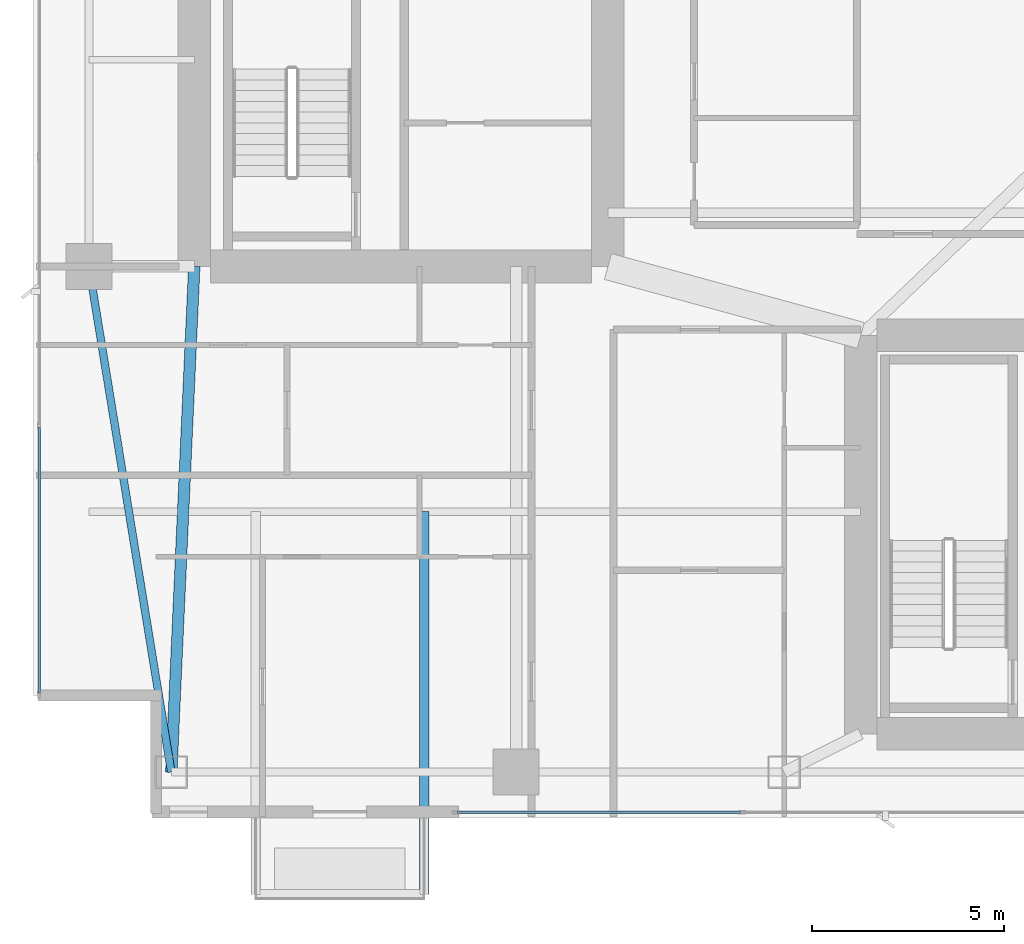
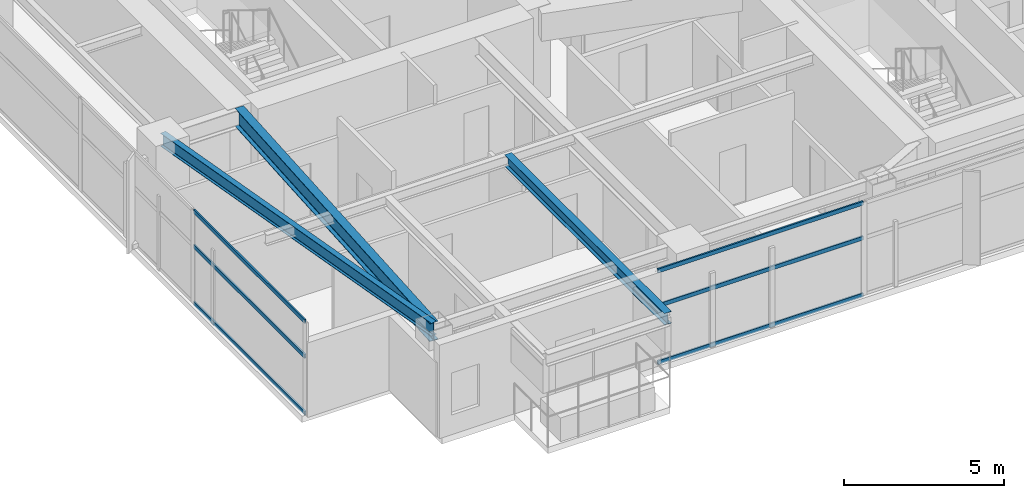
# One storey, part 3 of 29: 6 members, 3 beams, 2 elements without a shape of their own.
"""IFC4 building model written with IfcOpenShell, lengths in metres."""

from ifc_helpers import new_model, si_unit, direction, frame, origin, origin_2d, place, context, subcontext, project, spatial, hollow_rectangle, i_section, extrude, material, layer, layer_set, material_profile, profile_set, type_object, element, aggregate, save


model = new_model("IFC4")

# Units and contexts
model_context = context("Model", 3, precision=1e-05, world=origin(), true_north=direction((0.0, 1.0)))
body_context = subcontext(model_context, "Body", "Model", "MODEL_VIEW")
ifc_project = project(units=[si_unit("LENGTHUNIT", "METRE"), si_unit("AREAUNIT", "SQUARE_METRE"), si_unit("VOLUMEUNIT", "CUBIC_METRE"), si_unit("PLANEANGLEUNIT", "RADIAN"), si_unit("MASSUNIT", "GRAM", prefix="KILO")], contexts=[model_context])

# Site, building, storey
site_placement = place(None, origin())
site = spatial("IfcSite", under=ifc_project, at=site_placement, CompositionType="ELEMENT")
building_placement = place(site_placement, origin())
building = spatial("IfcBuilding", under=site, at=building_placement, Name="Calvorn Quay Hotel", CompositionType="ELEMENT")
storey_placement = place(building_placement, frame((0.0, 0.0, 105.0)))
storey = spatial("IfcBuildingStorey", under=building, at=storey_placement, Name="L25", CompositionType="ELEMENT", Elevation=105.0)

# Beams
ifc_material_1 = material(Name="Steel Q355B", Category="steel")
ifc_material_profile_1 = material_profile(ifc_material_1, i_section(OverallWidth=0.25, OverallDepth=0.449951171875, WebThickness=0.011962890625, FlangeThickness=0.01611328125, FilletRadius=0.01611328125, at=origin_2d()), Name="HN450x250x12x16")
ifc_profile_set_1 = profile_set([ifc_material_profile_1], Name="Steel Q355B")
beam_type_1 = type_object("IfcBeamType", Name="BM-CANT-BALC", PredefinedType="BEAM", material=ifc_profile_set_1)
beam_1_placement = place(storey_placement, frame((10.199951171875, 10.39990234375, 3.31494140625), z_axis=(0.0, -1.0, 0.0), x_axis=(1.0, 0.0, 0.0)))
element("IfcBeam", 1, at=beam_1_placement, inside=storey, type_object=beam_type_1, Name="Cantilever Balcony Beam BCB-L26-2B", PredefinedType="BEAM", context=body_context, shape_type="SweptSolid", body=[
    extrude(i_section(OverallWidth=0.25, OverallDepth=0.449951171875, WebThickness=0.011962890625, FlangeThickness=0.01611328125, FilletRadius=0.01611328125, at=origin_2d()), origin(), (0.0, 0.0, 1.0), 9.989990234375),
])
ifc_material_2 = material(Name="Steel Q390GJC", Category="steel")
ifc_material_profile_2 = material_profile(ifc_material_2, i_section(OverallWidth=0.300048828125, OverallDepth=0.699951171875, WebThickness=0.012939453125, FlangeThickness=0.02392578125, FilletRadius=0.02392578125, at=origin_2d()), Name="HN700x300x13x24")
ifc_profile_set_2 = profile_set([ifc_material_profile_2], Name="Steel Q390GJC")
beam_type_2 = type_object("IfcBeamType", Name="BM-GIRD-MAIN", PredefinedType="BEAM", material=ifc_profile_set_2)
beam_2_placement = place(storey_placement, frame((3.60009765625, 3.60009765625, 3.18994140625), z_axis=(0.045396765494, 0.998969035397, 0.0), x_axis=(-0.998969035397, 0.045396765494, 0.0)))
element("IfcBeam", 2, at=beam_2_placement, inside=storey, type_object=beam_type_2, Name="Beam BG-L25-W0", PredefinedType="BEAM", context=body_context, shape_type="SweptSolid", body=[
    extrude(i_section(OverallWidth=0.300048828125, OverallDepth=0.699951171875, WebThickness=0.012939453125, FlangeThickness=0.02392578125, FilletRadius=0.02392578125, at=origin_2d()), origin(), (0.0, 0.0, 1.0), 13.213623046875),
])
ifc_material_3 = material(Name="Steel Q355B", Category="steel")
ifc_material_profile_3 = material_profile(ifc_material_3, i_section(OverallWidth=0.199951171875, OverallDepth=0.5, WebThickness=0.010009765625, FlangeThickness=0.01611328125, FilletRadius=0.01611328125, at=origin_2d()), Name="HN500x200x10x16")
ifc_profile_set_3 = profile_set([ifc_material_profile_3], Name="Steel Q355B")
beam_type_3 = type_object("IfcBeamType", Name="BM-SPANDREL-Z1", PredefinedType="SPANDREL", material=ifc_profile_set_3)
beam_3_placement = place(storey_placement, frame((3.60009765625, 3.60009765625, 3.2900390625), z_axis=(-0.16077155054, 0.986991645627, 0.0), x_axis=(-0.986991645627, -0.16077155054, 0.0)))
element("IfcBeam", 3, at=beam_3_placement, inside=storey, type_object=beam_type_3, Name="Beam BSP-L25-W1", PredefinedType="SPANDREL", context=body_context, shape_type="SweptSolid", body=[
    extrude(i_section(OverallWidth=0.199951171875, OverallDepth=0.5, WebThickness=0.010009765625, FlangeThickness=0.01611328125, FilletRadius=0.01611328125, at=origin_2d()), origin(), (0.0, 0.0, 1.0), 13.3740234375),
])

# Curtain wall, members
ifc_material_4 = material(Name="Pale Anodised Aluminium and Low-E Glass", Category="aluminium")
ifc_layer = layer(ifc_material_4, 0.219970703125)
ifc_layer_set = layer_set([ifc_layer], Name="CW-SYS-Z2")
curtain_wall_type = type_object("IfcCurtainWallType", Name="CW-SYS-Z2", PredefinedType="NOTDEFINED", material=ifc_layer_set)
curtain_wall_1_placement = place(storey_placement, origin())
curtain_wall_1 = element("IfcCurtainWall", 4, at=curtain_wall_1_placement, inside=storey, type_object=curtain_wall_type, Name="Tower West Curtain Wall (L25)", PredefinedType="NOTDEFINED")
ifc_material_5 = material(Name="Pale Anodised Aluminium 6063-T6", Category="aluminium")
ifc_material_profile_4 = material_profile(ifc_material_5, hollow_rectangle(XDim=0.06005859375, YDim=0.14990234375, WallThickness=0.00341796875, at=origin_2d()), Name="ALU-T150x60x3.5")
ifc_profile_set_4 = profile_set([ifc_material_profile_4], Name="Pale Anodised Aluminium 6063-T6")
member_type = type_object("IfcMemberType", Name="CW-SYS-Z2-TRN", PredefinedType="USERDEFINED", material=ifc_profile_set_4)
member_1_placement = place(storey_placement, frame((0.14990234375, 5.659912109375, 0.030029296875), z_axis=(0.0, 1.0, 0.0), x_axis=(-1.0, 0.0, 0.0)))
member_1 = element("IfcMember", 5, at=member_1_placement, type_object=member_type, Name="CW-L25-W transom 1.1", ObjectType="TRANSOM", PredefinedType="USERDEFINED", context=body_context, shape_type="SweptSolid", body=[
    extrude(hollow_rectangle(XDim=0.06005859375, YDim=0.14990234375, WallThickness=0.00341796875, at=origin_2d()), origin(), (0.0, 0.0, 1.0), 6.943359375),
])
member_2_placement = place(storey_placement, frame((0.14990234375, 5.659912109375, 2.199951171875), z_axis=(0.0, 1.0, 0.0), x_axis=(-1.0, 0.0, 0.0)))
member_2 = element("IfcMember", 6, at=member_2_placement, type_object=member_type, Name="CW-L25-W transom 1.2", ObjectType="TRANSOM", PredefinedType="USERDEFINED", context=body_context, shape_type="SweptSolid", body=[
    extrude(hollow_rectangle(XDim=0.06005859375, YDim=0.14990234375, WallThickness=0.00341796875, at=origin_2d()), origin(), (0.0, 0.0, 1.0), 6.943359375),
])
member_3_placement = place(storey_placement, frame((0.14990234375, 5.659912109375, 3.530029296875), z_axis=(0.0, 1.0, 0.0), x_axis=(-1.0, 0.0, 0.0)))
member_3 = element("IfcMember", 7, at=member_3_placement, type_object=member_type, Name="CW-L25-W transom 1.3", ObjectType="TRANSOM", PredefinedType="USERDEFINED", context=body_context, shape_type="SweptSolid", body=[
    extrude(hollow_rectangle(XDim=0.06005859375, YDim=0.14990234375, WallThickness=0.00341796875, at=origin_2d()), origin(), (0.0, 0.0, 1.0), 6.943359375),
])
aggregate(curtain_wall_1, [member_1, member_2, member_3])

curtain_wall_2_placement = place(storey_placement, origin())
curtain_wall_2 = element("IfcCurtainWall", 8, at=curtain_wall_2_placement, inside=storey, type_object=curtain_wall_type, Name="Tower South Waterfront Curtain Wall (L25)", PredefinedType="NOTDEFINED")
member_4_placement = place(storey_placement, frame((11.06005859375, 2.550048828125, 0.030029296875), z_axis=(1.0, 0.0, 0.0), x_axis=(0.0, 1.0, 0.0)))
member_4 = element("IfcMember", 9, at=member_4_placement, type_object=member_type, Name="CW-L25-S transom 1.1", ObjectType="TRANSOM", PredefinedType="USERDEFINED", context=body_context, shape_type="SweptSolid", body=[
    extrude(hollow_rectangle(XDim=0.06005859375, YDim=0.14990234375, WallThickness=0.00341796875, at=origin_2d()), origin(), (0.0, 0.0, 1.0), 7.409912109375),
])
member_5_placement = place(storey_placement, frame((11.06005859375, 2.550048828125, 2.199951171875), z_axis=(1.0, 0.0, 0.0), x_axis=(0.0, 1.0, 0.0)))
member_5 = element("IfcMember", 10, at=member_5_placement, type_object=member_type, Name="CW-L25-S transom 1.2", ObjectType="TRANSOM", PredefinedType="USERDEFINED", context=body_context, shape_type="SweptSolid", body=[
    extrude(hollow_rectangle(XDim=0.06005859375, YDim=0.14990234375, WallThickness=0.00341796875, at=origin_2d()), origin(), (0.0, 0.0, 1.0), 7.409912109375),
])
member_6_placement = place(storey_placement, frame((11.06005859375, 2.550048828125, 3.530029296875), z_axis=(1.0, 0.0, 0.0), x_axis=(0.0, 1.0, 0.0)))
member_6 = element("IfcMember", 11, at=member_6_placement, type_object=member_type, Name="CW-L25-S transom 1.3", ObjectType="TRANSOM", PredefinedType="USERDEFINED", context=body_context, shape_type="SweptSolid", body=[
    extrude(hollow_rectangle(XDim=0.06005859375, YDim=0.14990234375, WallThickness=0.00341796875, at=origin_2d()), origin(), (0.0, 0.0, 1.0), 7.409912109375),
])
aggregate(curtain_wall_2, [member_4, member_5, member_6])

save(model, "model.ifc")
